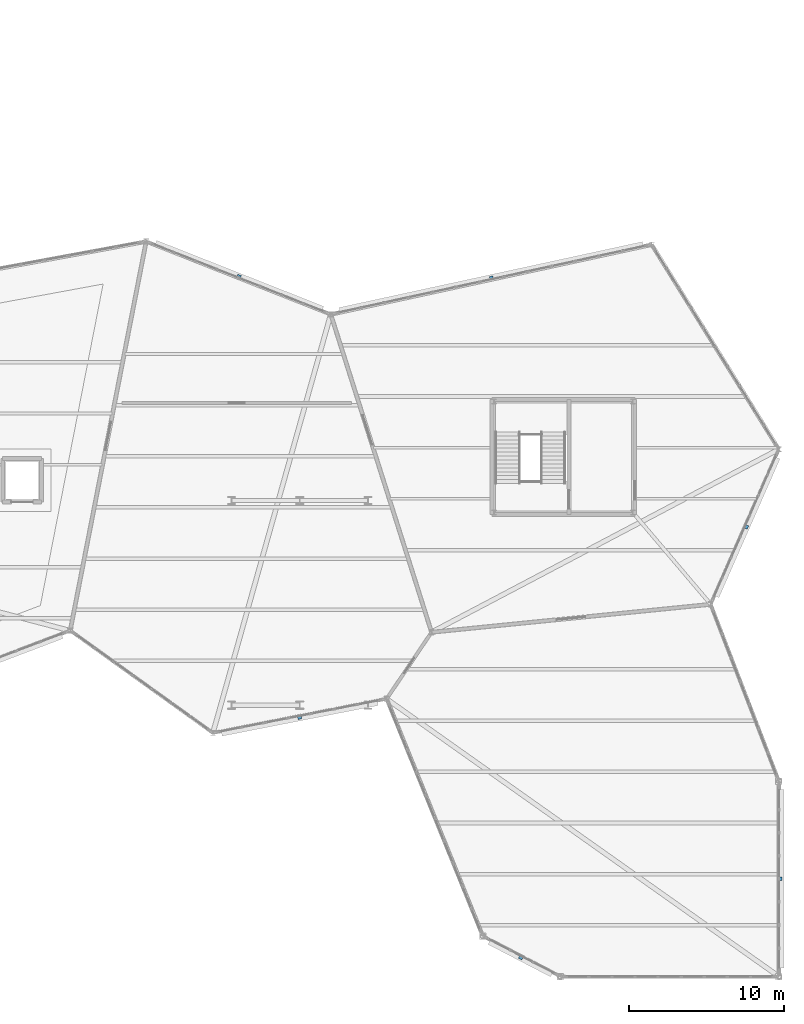
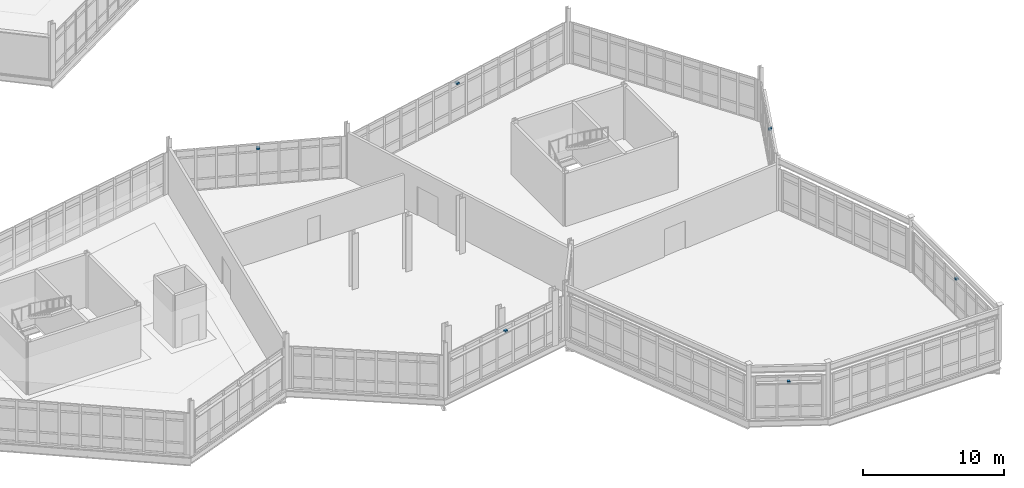
# One storey, part 126 of 134: 6 discrete accessories.
"""IFC4 building model written with IfcOpenShell, lengths in metres."""

from ifc_helpers import new_model, si_unit, direction, frame, origin, origin_2d, place, context, subcontext, project, spatial, rectangle, extrude, material, type_object, element, save


model = new_model("IFC4")

# Units and contexts
model_context = context("Model", 3, precision=1e-05, world=origin(), true_north=direction((0.0, 1.0)))
body_context = subcontext(model_context, "Body", "Model", "MODEL_VIEW")
ifc_project = project(units=[si_unit("LENGTHUNIT", "METRE"), si_unit("AREAUNIT", "SQUARE_METRE"), si_unit("VOLUMEUNIT", "CUBIC_METRE"), si_unit("PLANEANGLEUNIT", "RADIAN"), si_unit("MASSUNIT", "GRAM", prefix="KILO")], contexts=[model_context])

# Site, building, storey
site_placement = place(None, origin())
site = spatial("IfcSite", under=ifc_project, at=site_placement, CompositionType="ELEMENT")
building_placement = place(site_placement, origin())
building = spatial("IfcBuilding", under=site, at=building_placement, Name="Tameran Prism Museum", CompositionType="ELEMENT")
storey_placement = place(building_placement, frame((0.0, 0.0, 5.39990234375)))
storey = spatial("IfcBuildingStorey", under=building, at=storey_placement, Name="L01", CompositionType="ELEMENT", Elevation=5.39990234375)

# Discrete accessories
ifc_material = material(Name="Galvanized Steel Grade 350 (350 MPa)", Category="steel")
discrete_accessory_type = type_object("IfcDiscreteAccessoryType", Name="DA-BRK-STL", PredefinedType="BRACKET", material=ifc_material)
for number, where, z_axis, x_axis, name in (
    (1, (131.5791015625, 45.1240234375, 3.09033203125), (0.0, 0.0, 1.0), (0.93009738109, -0.367313029567, 0.0), "Facade Sunshade Bracket BK-028"),
    (2, (135.486083984375, 16.715087890625, 3.09033203125), (0.0, 0.0, 1.0), (-0.981259047624, -0.192693231472, 0.0), "Facade Sunshade Bracket BK-029"),
    (3, (149.762939453125, 1.22900390625, 3.09033203125), (0.0, 0.0, 1.0), (-0.887252482586, 0.461284112175, 0.0), "Facade Sunshade Bracket BK-030"),
    (4, (166.47998046875, 6.300048828125, 3.09033203125), (0.0, 0.0, 1.0), (0.0, -1.0, 0.0), "Facade Sunshade Bracket BK-031"),
    (5, (164.284912109375, 28.9951171875, 3.09033203125), (0.0, 0.0, 1.0), (-0.402746689859, -0.915311479119, 0.0), "Facade Sunshade Bracket BK-038"),
    (6, (147.863037109375, 45.033935546875, 3.09033203125), (0.0, 0.0, 1.0), (0.977194059589, 0.212348227928, 0.0), "Facade Sunshade Bracket BK-039"),
):
    element("IfcDiscreteAccessory", number, at=place(storey_placement, frame(where, z_axis=z_axis, x_axis=x_axis)), inside=storey, type_object=discrete_accessory_type, Name=name, PredefinedType="BRACKET", context=body_context, shape_type="SweptSolid", body=[
        extrude(rectangle(XDim=0.239990234375, YDim=0.239990234375, at=origin_2d()), origin(), (0.0, 0.0, 1.0), 0.159912109375),
    ])

save(model, "model.ifc")
